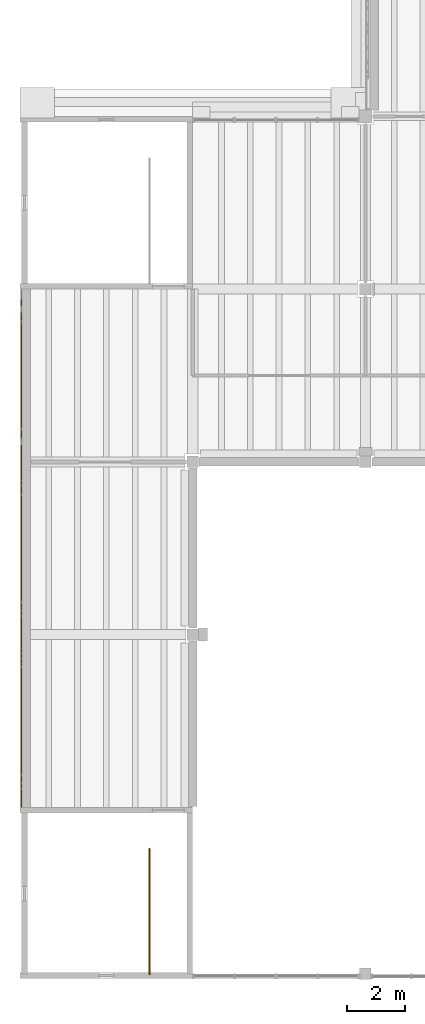
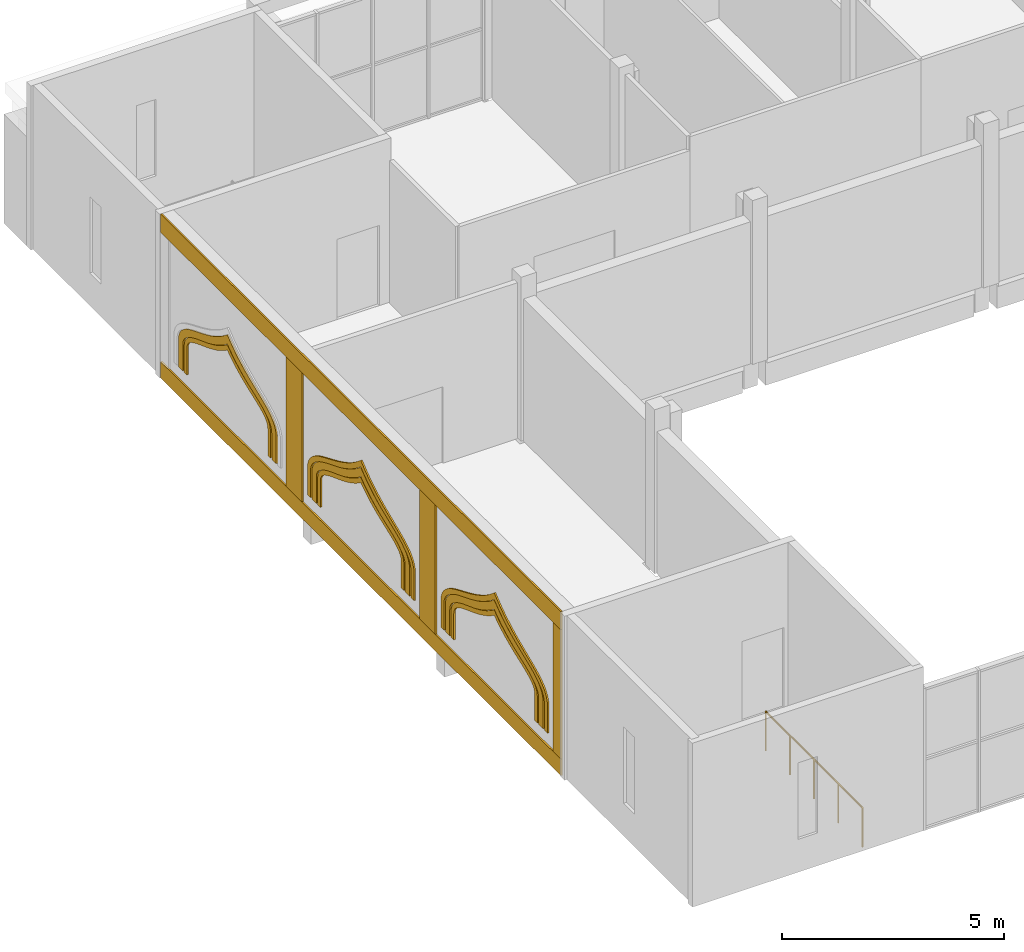
# One storey, part 53 of 70: 13 coverings, 1 railing.
"""IFC4 building model written with IfcOpenShell, lengths in metres."""

from ifc_helpers import new_model, si_unit, direction, frame, origin, origin_2d, place, context, subcontext, project, spatial, polyline, rectangle, circle, outline, extrude, material, layer, layer_set, type_object, element, save


model = new_model("IFC4")

# Units and contexts
model_context = context("Model", 3, precision=1e-05, world=origin(), true_north=direction((0.0, 1.0)))
body_context = subcontext(model_context, "Body", "Model", "MODEL_VIEW")
ifc_project = project(units=[si_unit("LENGTHUNIT", "METRE"), si_unit("AREAUNIT", "SQUARE_METRE"), si_unit("VOLUMEUNIT", "CUBIC_METRE"), si_unit("PLANEANGLEUNIT", "RADIAN"), si_unit("MASSUNIT", "GRAM", prefix="KILO")], contexts=[model_context])

# Site, building, storey
site_placement = place(None, origin())
site = spatial("IfcSite", under=ifc_project, at=site_placement, CompositionType="ELEMENT")
building_placement = place(site_placement, origin())
building = spatial("IfcBuilding", under=site, at=building_placement, Name="Saffron Lane Theatres", CompositionType="ELEMENT")
storey_placement = place(building_placement, frame((0.0, 0.0, 12.0)))
storey = spatial("IfcBuildingStorey", under=building, at=storey_placement, Name="L02", CompositionType="ELEMENT", Elevation=12.0)

# Coverings
ifc_material_1 = material(Name="Face brick cladding, pale buff", Category="masonry")
ifc_layer_1 = layer(ifc_material_1, 0.0400390625)
ifc_layer_set_1 = layer_set([ifc_layer_1], Name="Face brick cladding, pale buff")
covering_type_1 = type_object("IfcCoveringType", Name="EX-FACE BRICK SKIN PALE BUFF 40", PredefinedType="CLADDING", material=ifc_layer_set_1)
covering_1_placement = place(storey_placement, frame((0.0400390625, 15.0, 0.0), z_axis=(0.0, 0.0, 1.0), x_axis=(0.0, 1.0, 0.0)))
element("IfcCovering", 1, at=covering_1_placement, inside=storey, type_object=covering_type_1, Name="Face brick cladding, pale buff L02", PredefinedType="CLADDING", context=body_context, shape_type="SweptSolid", body=[
    extrude(rectangle(XDim=18.0, YDim=0.0400390625, at=origin_2d()), origin(), (0.0, 0.0, 1.0), 0.449951171875),
])
covering_2_placement = place(storey_placement, frame((0.0400390625, 15.0, 4.0), z_axis=(0.0, 0.0, 1.0), x_axis=(0.0, 1.0, 0.0)))
element("IfcCovering", 2, at=covering_2_placement, inside=storey, type_object=covering_type_1, Name="Face brick cladding, pale buff L02", PredefinedType="CLADDING", context=body_context, shape_type="SweptSolid", body=[
    extrude(rectangle(XDim=18.0, YDim=0.0400390625, at=origin_2d()), origin(), (0.0, 0.0, 1.0), 0.5),
])
covering_3_placement = place(storey_placement, frame((0.0400390625, 6.175048828125, 0.4501953125), z_axis=(0.0, 0.0, 1.0), x_axis=(0.0, 1.0, 0.0)))
element("IfcCovering", 3, at=covering_3_placement, inside=storey, type_object=covering_type_1, Name="Face brick cladding, pale buff L02", PredefinedType="CLADDING", context=body_context, shape_type="SweptSolid", body=[
    extrude(rectangle(XDim=0.35009765625, YDim=0.0400390625, at=origin_2d()), origin(), (0.0, 0.0, 1.0), 3.550048828125),
])
for number, where, z_axis, x_axis, name in (
    (4, (0.0400390625, 12.0, 0.4501953125), (0.0, 0.0, 1.0), (0.0, 1.0, 0.0), "Face brick cladding, pale buff L02"),
    (5, (0.0400390625, 18.0, 0.4501953125), (0.0, 0.0, 1.0), (0.0, 1.0, 0.0), "Face brick cladding, pale buff L02"),
):
    element("IfcCovering", number, at=place(storey_placement, frame(where, z_axis=z_axis, x_axis=x_axis)), inside=storey, type_object=covering_type_1, Name=name, PredefinedType="CLADDING", context=body_context, shape_type="SweptSolid", body=[
        extrude(rectangle(XDim=0.699951171875, YDim=0.0400390625, at=origin_2d()), origin(), (0.0, 0.0, 1.0), 3.550048828125),
    ])
ifc_material_2 = material(Name="Face brick cladding, pale buff", Category="masonry")
ifc_layer_2 = layer(ifc_material_2, 0.0400390625)
ifc_layer_set_2 = layer_set([ifc_layer_2], Name="Face brick cladding, pale buff")
covering_type_2 = type_object("IfcCoveringType", Name="EX-NICHE FRAME RING FACE BRICK PALE BUFF", PredefinedType="CLADDING", material=ifc_layer_set_2)
covering_4_placement = place(storey_placement, frame((0.06005859375, 7.072998046875, 1.631103515625), z_axis=(1.0, 0.0, 0.0), x_axis=(0.0, -0.125787163421, -0.992057251129)))
element("IfcCovering", 6, at=covering_4_placement, inside=storey, type_object=covering_type_2, Name="Court wall niche ring", PredefinedType="CLADDING", context=body_context, shape_type="SweptSolid", body=[
    extrude(outline(polyline([(0.0, 0.0), (0.10286783462729944, 1.734723475976807e-18), (0.8260814459243233, 0.09169933348981404), (0.8110029553873177, 0.21062025885714114), (0.09578199284206938, 0.119934347338246), (0.01822942745973688, 0.1201910345498624), (-0.0490011830970099, 0.1399675384317568), (-0.11314517339127239, 0.17810036480576727), (-0.17596284985395488, 0.2368272699049921), (-0.23944976724082911, 0.31441865705522143), (-0.30266435282305393, 0.40927124518525315), (-0.36702562913166437, 0.5189902527022868), (-0.433014522545084, 0.6415459385176266), (-0.5033224824943695, 0.7748743752096529), (-0.5778846128899024, 0.9165228382484054), (-0.6589079602080865, 1.0644888197256537), (-0.7488110626459573, 1.2164969004991457), (-0.848166975852022, 1.3712439439121653), (-0.9581797540604541, 1.5246397580306263), (-1.081394251071297, 1.6773460511968898), (-1.1877044755952397, 1.7918360801596334), (-1.1133323980335899, 1.9292355876164828), (-1.03212884818084, 2.107860915432915), (-0.9638813390769447, 2.283859110478537), (-0.9062906949754169, 2.4585060762296007), (-0.8571701494278585, 2.6281415573457427), (-0.8156395492188175, 2.7916466757104144), (-0.7787890000441458, 2.9474216268286426), (-0.7439815188337165, 3.0940780979260873), (-0.7106678065432581, 3.229224783986177), (-0.6757264771479905, 3.351534791747961), (-0.6381852481623782, 3.4591626386629097), (-0.5960723214348845, 3.5501434797319464), (-0.5498993331006278, 3.622689775343702), (-0.49730221132350194, 3.675624704444467), (-0.437134844806493, 3.711554540347675), (-0.3621004794731105, 3.7311583742768346), (0.3531204830721378, 3.8218442857957298), (0.3380419925351322, 3.9407652111630567), (-0.38517161876189165, 3.8490658776732425), (-0.48478421917957276, 3.8233925210766304), (-0.5719037429163033, 3.7710022555851634), (-0.644026475657423, 3.6973805390597287), (-0.7014050486089473, 3.6084016264695515), (-0.7497636445328588, 3.50457020079729), (-0.7902860376353253, 3.387458833357453), (-0.8265200739586204, 3.2598169165182562), (-0.8605569141048288, 3.122609779612776), (-0.8952415562884799, 2.974984502606025), (-0.9319727430126031, 2.8202090671537974), (-0.9731452558699988, 2.6597024957871276), (-1.0207274164359736, 2.4934613119297864), (-1.076875281402231, 2.3249035694448104), (-1.1418924717594865, 2.1544829615301575), (-1.2201113809191528, 1.9833728326633069), (-1.334478570855118, 1.7732259676027589), (-1.171282867774878, 1.5982724837141216), (-1.0528341773454004, 1.4520986772832152), (-0.9473415276647776, 1.3032977380814992), (-0.85090246191532, 1.1540871423140657), (-0.7633361981330901, 1.0049820026922627), (-0.6834079723272197, 0.8598303096728492), (-0.6092108824357915, 0.7191199427867081), (-0.5387800834597278, 0.5848227001853759), (-0.47157670608344604, 0.46045224157820175), (-0.40463291306563853, 0.34589268109086707), (-0.3361646413711658, 0.24260070416356042), (-0.26342249863181144, 0.1541241568385554), (-0.18565264723513095, 0.08228128848391583), (-0.09743800198608668, 0.028989430890248115), (0.0, 0.0)])), origin(), (0.0, 0.0, -1.0), 0.0400390625),
])
covering_5_placement = place(storey_placement, frame((0.06005859375, 6.81591796875, 1.656982421875), z_axis=(1.0, 0.0, 0.0), x_axis=(0.0, -0.124981281942, -0.992159099724)))
element("IfcCovering", 7, at=covering_5_placement, inside=storey, type_object=covering_type_2, Name="Court wall niche ring", PredefinedType="CLADDING", context=body_context, shape_type="SweptSolid", body=[
    extrude(outline(polyline([(0.0, 0.0), (0.12697213837489085, 0.0), (0.8521978084364566, 0.09135594681008097), (0.8272076546497311, 0.28973932148624076), (0.11385107538075605, 0.1998785120822032), (0.02527650663372288, 0.19979401452079415), (-0.04678254430501541, 0.2190148625868687), (-0.11719530108896745, 0.25837476555299604), (-0.18844693088535264, 0.32002136977165624), (-0.26038486865273797, 0.4027435435293195), (-0.33300911439112346, 0.5065412868259859), (-0.4074965313585784, 0.6270831607776483), (-0.4850868865533322, 0.7624905029356456), (-0.5673231993328934, 0.9113385905284419), (-0.6548063412450598, 1.0686303316604857), (-0.7511697074304202, 1.2339080312074777), (-0.8563809071571014, 1.404961139076778), (-0.9738578667840988, 1.5776680519952122), (-1.1044169266408037, 1.7506955862161038), (-1.251931830486924, 1.9215872098569338), (-1.3593545191680385, 2.0301060196818823), (-1.2822007347072313, 2.1618757418212198), (-1.1816758636224753, 2.3640126859475283), (-1.0981068365271347, 2.5640137194937744), (-1.027131701528916, 2.7604597528591834), (-0.967628988215562, 2.9522617063633723), (-0.915265379979479, 3.1362743929983368), (-0.8695240334033817, 3.3103482886880102), (-0.8267715533466811, 3.4749410885566925), (-0.7851865479301156, 3.625360830791697), (-0.7429208677133103, 3.7606099747375006), (-0.6983075635820238, 3.8791760140448814), (-0.6491323299964423, 3.977154691945845), (-0.5953951669565656, 4.054546008440391), (-0.5369435094209609, 4.110138831814989), (-0.4719024503881406, 4.14663004257128), (-0.38607405238690146, 4.168514910976223), (0.3272825268820736, 4.258375720380261), (0.30229237309534807, 4.4567590950564195), (-0.42293329696621773, 4.365403148246339), (-0.5459387442638506, 4.333913723694568), (-0.6569230051583564, 4.271457351179071), (-0.7479592695277731, 4.18543038390852), (-0.821231329903628, 4.079494852308205), (-0.8819536246866524, 3.959883859824733), (-0.931610024941369, 3.8266565547510885), (-0.9768645716775708, 3.681926314984293), (-1.0197466146617653, 3.5261757154861715), (-1.0624990947184658, 3.3615829156174892), (-1.1081202669850034, 3.188508438306926), (-1.1590647856203113, 3.008857703564255), (-1.2165151470532187, 2.824204243755272), (-1.2846215898416005, 2.6362398878317443), (-1.3645971234225733, 2.4467803945021727), (-1.4586236626040767, 2.2575194704419133), (-1.6093321048405622, 1.998616595130111), (-1.3991232964452063, 1.7851781021653423), (-1.2610969993144254, 1.6251486400436457), (-1.1366334996515897, 1.461442125707965), (-1.0240390907813448, 1.2962404739662412), (-0.9225889713991599, 1.1316035475932678), (-0.828682137096319, 0.9701995918059838), (-0.7415632735600051, 0.8138462430364772), (-0.6593269607804438, 0.664998155443681), (-0.5791580216700238, 0.5247481641551519), (-0.49942377556996387, 0.39576263666424205), (-0.418277950763476, 0.27901235606536234), (-0.3297888184396453, 0.17819737668643526), (-0.23253353355052273, 0.09374300291988655), (-0.12300638615942627, 0.03298080651064107), (0.0, 0.0)])), origin(), (0.0, 0.0, -1.0), 0.0400390625),
])
covering_6_placement = place(storey_placement, frame((0.06005859375, 6.615966796875, 1.6669921875), z_axis=(1.0, 0.0, 0.0), x_axis=(0.0, -0.1142904069, -0.993447383051)))
element("IfcCovering", 8, at=covering_6_placement, inside=storey, type_object=covering_type_2, Name="Court wall niche ring", PredefinedType="CLADDING", context=body_context, shape_type="SweptSolid", body=[
    extrude(outline(polyline([(0.0, 0.0), (0.1388492792656847, 0.0), (0.8630763021636411, 0.08331815307675605), (0.847087922487492, 0.22229406872328283), (0.1308647481346235, 0.1398967123818024), (0.018059635735685132, 0.13994393272720115), (-0.07944823113339494, 0.16509735216938015), (-0.16960689515496066, 0.21395109224305844), (-0.25646442775728656, 0.2875139512363002), (-0.34330478932492203, 0.38442512464988704), (-0.42803955276364053, 0.5014843608933854), (-0.5132529587943554, 0.6376571051266956), (-0.6022203822842709, 0.789371782134203), (-0.6947465027137829, 0.9549306058608893), (-0.7943492358150984, 1.1307340981597673), (-0.9030912521304082, 1.3133501984720835), (-1.022371990986984, 1.5021264074795997), (-1.1551684805242837, 1.6930339711680689), (-1.3039812526691044, 1.8843107121023825), (-1.4706304370986343, 2.0725524726551585), (-1.6146932717722082, 2.2139967245384384), (-1.5065136068430107, 2.3844600250485852), (-1.3869645705693967, 2.605627244620307), (-1.2854751700314675, 2.8256998107305122), (-1.1994997993363636, 3.0417758185165145), (-1.1262030913808239, 3.252706955033389), (-1.061770930084231, 3.4552457483453045), (-1.0046922643938252, 3.649074534310487), (-0.9521789475517439, 3.831319310997622), (-0.8999875876101086, 3.9992734940636265), (-0.8479228640493154, 4.151239297453482), (-0.7919839257864885, 4.284482233892733), (-0.7294191145124824, 4.398581613031465), (-0.6613960605862484, 4.488733837915022), (-0.5848261241428409, 4.557997499097641), (-0.4955775249598693, 4.604636175696251), (-0.3857301232863616, 4.630298287041135), (0.33049305106650684, 4.712695643382615), (0.31450467139035776, 4.851671559029142), (-0.4097223515075986, 4.768353405952386), (-0.5449442496949248, 4.736823093502039), (-0.6644868468305303, 4.673674467048558), (-0.7650833535645557, 4.584689872523952), (-0.8479915481880772, 4.474393877569155), (-0.9177252664453477, 4.345707704460883), (-0.9785837061469898, 4.201823019272224), (-1.033719898538038, 4.042377083895339), (-1.0865186838318481, 3.871158257858812), (-1.1389203889484416, 3.6879433177116665), (-1.1964927218861978, 3.496269496600136), (-1.2589373359173706, 3.2956796157255868), (-1.3308796785117007, 3.090065060824744), (-1.4143716883146977, 2.8801727719066417), (-1.511819456562361, 2.6676919495089537), (-1.627195931406195, 2.4551145400411314), (-1.7934458892791718, 2.193432264117283), (-1.5721155448778907, 1.9763388725258717), (-1.4114805153486925, 1.7955149989593715), (-1.2683277455137127, 1.6107138844826954), (-1.1393539575743754, 1.4252645634464545), (-1.0224878954711447, 1.2403883256930075), (-0.9162356791859507, 1.060189048513373), (-0.8166415316019806, 0.8865963269308906), (-0.7240037994469805, 0.7200673397441939), (-0.6337034743892186, 0.5653112432171397), (-0.5438002295086733, 0.4225512608007041), (-0.4518579242586367, 0.2962454223763961), (-0.35472352739407403, 0.18675646605205173), (-0.24893492904552242, 0.09816895170466257), (-0.1307595755471445, 0.03435280127758979), (0.0, 0.0)])), origin(), (0.0, 0.0, -1.0), 0.0400390625),
])
covering_7_placement = place(storey_placement, frame((0.06005859375, 13.072998046875, 1.631103515625), z_axis=(1.0, 0.0, 0.0), x_axis=(0.0, -0.125787163421, -0.992057251129)))
element("IfcCovering", 9, at=covering_7_placement, inside=storey, type_object=covering_type_2, Name="Court wall niche ring", PredefinedType="CLADDING", context=body_context, shape_type="SweptSolid", body=[
    extrude(outline(polyline([(0.0, 0.0), (0.10286783462729944, 1.734723475976807e-18), (0.8260814459243233, 0.09169933348981404), (0.8110029553873177, 0.21062025885714114), (0.09578199284206938, 0.119934347338246), (0.01822942745973688, 0.1201910345498624), (-0.0490011830970099, 0.1399675384317568), (-0.11314517339127239, 0.17810036480576727), (-0.17596284985395488, 0.2368272699049921), (-0.23944976724082911, 0.31441865705522143), (-0.30266435282305393, 0.40927124518525315), (-0.36702562913166437, 0.5189902527022868), (-0.433014522545084, 0.6415459385176266), (-0.5033224824943695, 0.7748743752096529), (-0.5778846128899024, 0.9165228382484054), (-0.6589079602080865, 1.0644888197256537), (-0.7488110626459573, 1.2164969004991457), (-0.848166975852022, 1.3712439439121653), (-0.9581797540604541, 1.5246397580306263), (-1.081394251071297, 1.6773460511968898), (-1.1877044755952397, 1.7918360801596334), (-1.1133323980335899, 1.9292355876164828), (-1.03212884818084, 2.107860915432915), (-0.9638813390769447, 2.283859110478537), (-0.9062906949754169, 2.4585060762296007), (-0.8571701494278585, 2.6281415573457427), (-0.8156395492188175, 2.7916466757104144), (-0.7787890000441458, 2.9474216268286426), (-0.7439815188337165, 3.0940780979260873), (-0.7106678065432581, 3.229224783986177), (-0.6757264771479905, 3.351534791747961), (-0.6381852481623782, 3.4591626386629097), (-0.5960723214348845, 3.5501434797319464), (-0.5498993331006278, 3.622689775343702), (-0.49730221132350194, 3.675624704444467), (-0.437134844806493, 3.711554540347675), (-0.3621004794731105, 3.7311583742768346), (0.3531204830721378, 3.8218442857957298), (0.3380419925351322, 3.9407652111630567), (-0.38517161876189165, 3.8490658776732425), (-0.48478421917957276, 3.8233925210766304), (-0.5719037429163033, 3.7710022555851634), (-0.644026475657423, 3.6973805390597287), (-0.7014050486089473, 3.6084016264695515), (-0.7497636445328588, 3.50457020079729), (-0.7902860376353253, 3.387458833357453), (-0.8265200739586204, 3.2598169165182562), (-0.8605569141048288, 3.122609779612776), (-0.8952415562884799, 2.974984502606025), (-0.9319727430126031, 2.8202090671537974), (-0.9731452558699988, 2.6597024957871276), (-1.0207274164359736, 2.4934613119297864), (-1.076875281402231, 2.3249035694448104), (-1.1418924717594865, 2.1544829615301575), (-1.2201113809191528, 1.9833728326633069), (-1.334478570855118, 1.7732259676027589), (-1.171282867774878, 1.5982724837141216), (-1.0528341773454004, 1.4520986772832152), (-0.9473415276647776, 1.3032977380814992), (-0.85090246191532, 1.1540871423140657), (-0.7633361981330901, 1.0049820026922627), (-0.6834079723272197, 0.8598303096728492), (-0.6092108824357915, 0.7191199427867081), (-0.5387800834597278, 0.5848227001853759), (-0.47157670608344604, 0.46045224157820175), (-0.40463291306563853, 0.34589268109086707), (-0.3361646413711658, 0.24260070416356042), (-0.26342249863181144, 0.1541241568385554), (-0.18565264723513095, 0.08228128848391583), (-0.09743800198608668, 0.028989430890248115), (0.0, 0.0)])), origin(), (0.0, 0.0, -1.0), 0.0400390625),
])
covering_8_placement = place(storey_placement, frame((0.06005859375, 12.81591796875, 1.656982421875), z_axis=(1.0, 0.0, 0.0), x_axis=(0.0, -0.124981281942, -0.992159099724)))
element("IfcCovering", 10, at=covering_8_placement, inside=storey, type_object=covering_type_2, Name="Court wall niche ring", PredefinedType="CLADDING", context=body_context, shape_type="SweptSolid", body=[
    extrude(outline(polyline([(0.0, 0.0), (0.12697213837489085, 0.0), (0.8521978084364566, 0.09135594681008097), (0.8272076546497311, 0.28973932148624076), (0.11385107538075605, 0.1998785120822032), (0.02527650663372288, 0.19979401452079415), (-0.04678254430501541, 0.2190148625868687), (-0.11719530108896745, 0.25837476555299604), (-0.18844693088535264, 0.32002136977165624), (-0.26038486865273797, 0.4027435435293195), (-0.33300911439112346, 0.5065412868259859), (-0.4074965313585784, 0.6270831607776483), (-0.4850868865533322, 0.7624905029356456), (-0.5673231993328934, 0.9113385905284419), (-0.6548063412450598, 1.0686303316604857), (-0.7511697074304202, 1.2339080312074777), (-0.8563809071571014, 1.404961139076778), (-0.9738578667840988, 1.5776680519952122), (-1.1044169266408037, 1.7506955862161038), (-1.251931830486924, 1.9215872098569338), (-1.3593545191680385, 2.0301060196818823), (-1.2822007347072313, 2.1618757418212198), (-1.1816758636224753, 2.3640126859475283), (-1.0981068365271347, 2.5640137194937744), (-1.027131701528916, 2.7604597528591834), (-0.967628988215562, 2.9522617063633723), (-0.915265379979479, 3.1362743929983368), (-0.8695240334033817, 3.3103482886880102), (-0.8267715533466811, 3.4749410885566925), (-0.7851865479301156, 3.625360830791697), (-0.7429208677133103, 3.7606099747375006), (-0.6983075635820238, 3.8791760140448814), (-0.6491323299964423, 3.977154691945845), (-0.5953951669565656, 4.054546008440391), (-0.5369435094209609, 4.110138831814989), (-0.4719024503881406, 4.14663004257128), (-0.38607405238690146, 4.168514910976223), (0.3272825268820736, 4.258375720380261), (0.30229237309534807, 4.4567590950564195), (-0.42293329696621773, 4.365403148246339), (-0.5459387442638506, 4.333913723694568), (-0.6569230051583564, 4.271457351179071), (-0.7479592695277731, 4.18543038390852), (-0.821231329903628, 4.079494852308205), (-0.8819536246866524, 3.959883859824733), (-0.931610024941369, 3.8266565547510885), (-0.9768645716775708, 3.681926314984293), (-1.0197466146617653, 3.5261757154861715), (-1.0624990947184658, 3.3615829156174892), (-1.1081202669850034, 3.188508438306926), (-1.1590647856203113, 3.008857703564255), (-1.2165151470532187, 2.824204243755272), (-1.2846215898416005, 2.6362398878317443), (-1.3645971234225733, 2.4467803945021727), (-1.4586236626040767, 2.2575194704419133), (-1.6093321048405622, 1.998616595130111), (-1.3991232964452063, 1.7851781021653423), (-1.2610969993144254, 1.6251486400436457), (-1.1366334996515897, 1.461442125707965), (-1.0240390907813448, 1.2962404739662412), (-0.9225889713991599, 1.1316035475932678), (-0.828682137096319, 0.9701995918059838), (-0.7415632735600051, 0.8138462430364772), (-0.6593269607804438, 0.664998155443681), (-0.5791580216700238, 0.5247481641551519), (-0.49942377556996387, 0.39576263666424205), (-0.418277950763476, 0.27901235606536234), (-0.3297888184396453, 0.17819737668643526), (-0.23253353355052273, 0.09374300291988655), (-0.12300638615942627, 0.03298080651064107), (0.0, 0.0)])), origin(), (0.0, 0.0, -1.0), 0.0400390625),
])
covering_9_placement = place(storey_placement, frame((0.06005859375, 12.615966796875, 1.6669921875), z_axis=(1.0, 0.0, 0.0), x_axis=(0.0, -0.1142904069, -0.993447383051)))
element("IfcCovering", 11, at=covering_9_placement, inside=storey, type_object=covering_type_2, Name="Court wall niche ring", PredefinedType="CLADDING", context=body_context, shape_type="SweptSolid", body=[
    extrude(outline(polyline([(0.0, 0.0), (0.1388492792656847, 0.0), (0.8630763021636411, 0.08331815307675605), (0.847087922487492, 0.22229406872328283), (0.1308647481346235, 0.1398967123818024), (0.018059635735685132, 0.13994393272720115), (-0.07944823113339494, 0.16509735216938015), (-0.16960689515496066, 0.21395109224305844), (-0.25646442775728656, 0.2875139512363002), (-0.34330478932492203, 0.38442512464988704), (-0.42803955276364053, 0.5014843608933854), (-0.5132529587943554, 0.6376571051266956), (-0.6022203822842709, 0.789371782134203), (-0.6947465027137829, 0.9549306058608893), (-0.7943492358150984, 1.1307340981597673), (-0.9030912521304082, 1.3133501984720835), (-1.022371990986984, 1.5021264074795997), (-1.1551684805242837, 1.6930339711680689), (-1.3039812526691044, 1.8843107121023825), (-1.4706304370986343, 2.0725524726551585), (-1.6146932717722082, 2.2139967245384384), (-1.5065136068430107, 2.3844600250485852), (-1.3869645705693967, 2.605627244620307), (-1.2854751700314675, 2.8256998107305122), (-1.1994997993363636, 3.0417758185165145), (-1.1262030913808239, 3.252706955033389), (-1.061770930084231, 3.4552457483453045), (-1.0046922643938252, 3.649074534310487), (-0.9521789475517439, 3.831319310997622), (-0.8999875876101086, 3.9992734940636265), (-0.8479228640493154, 4.151239297453482), (-0.7919839257864885, 4.284482233892733), (-0.7294191145124824, 4.398581613031465), (-0.6613960605862484, 4.488733837915022), (-0.5848261241428409, 4.557997499097641), (-0.4955775249598693, 4.604636175696251), (-0.3857301232863616, 4.630298287041135), (0.33049305106650684, 4.712695643382615), (0.31450467139035776, 4.851671559029142), (-0.4097223515075986, 4.768353405952386), (-0.5449442496949248, 4.736823093502039), (-0.6644868468305303, 4.673674467048558), (-0.7650833535645557, 4.584689872523952), (-0.8479915481880772, 4.474393877569155), (-0.9177252664453477, 4.345707704460883), (-0.9785837061469898, 4.201823019272224), (-1.033719898538038, 4.042377083895339), (-1.0865186838318481, 3.871158257858812), (-1.1389203889484416, 3.6879433177116665), (-1.1964927218861978, 3.496269496600136), (-1.2590489476428586, 3.2966497791855978), (-1.3308796785117007, 3.090065060824744), (-1.4143716883146977, 2.8801727719066417), (-1.511819456562361, 2.6676919495089537), (-1.627195931406195, 2.4551145400411314), (-1.7934458892791718, 2.193432264117283), (-1.5721155448778907, 1.9763388725258717), (-1.4114805153486925, 1.7955149989593715), (-1.2683277455137127, 1.6107138844826954), (-1.1393539575743754, 1.4252645634464545), (-1.0225995071966325, 1.241358489153018), (-0.9162356791859507, 1.060189048513373), (-0.8166415316019806, 0.8865963269308906), (-0.7240037994469805, 0.7200673397441939), (-0.6337034743892186, 0.5653112432171397), (-0.5438002295086733, 0.4225512608007041), (-0.4518579242586367, 0.2962454223763961), (-0.35472352739407403, 0.18675646605205173), (-0.24893492904552242, 0.09816895170466257), (-0.1307595755471445, 0.03435280127758979), (0.0, 0.0)])), origin(), (0.0, 0.0, -1.0), 0.0400390625),
])
covering_10_placement = place(storey_placement, frame((0.06005859375, 19.072998046875, 1.631103515625), z_axis=(1.0, 0.0, 0.0), x_axis=(0.0, -0.125787163421, -0.992057251129)))
element("IfcCovering", 12, at=covering_10_placement, inside=storey, type_object=covering_type_2, Name="Court wall niche ring", PredefinedType="CLADDING", context=body_context, shape_type="SweptSolid", body=[
    extrude(outline(polyline([(0.0, 0.0), (0.10286783462729944, 1.734723475976807e-18), (0.8260814459243233, 0.09169933348981404), (0.8110029553873177, 0.21062025885714114), (0.09578199284206938, 0.119934347338246), (0.01822942745973688, 0.1201910345498624), (-0.0490011830970099, 0.1399675384317568), (-0.11314517339127239, 0.17810036480576727), (-0.17596284985395488, 0.2368272699049921), (-0.23944976724082911, 0.31441865705522143), (-0.30266435282305393, 0.40927124518525315), (-0.36702562913166437, 0.5189902527022868), (-0.433014522545084, 0.6415459385176266), (-0.5033224824943695, 0.7748743752096529), (-0.5778846128899024, 0.9165228382484054), (-0.6589079602080865, 1.0644888197256537), (-0.7488110626459573, 1.2164969004991457), (-0.848166975852022, 1.3712439439121653), (-0.9581797540604541, 1.5246397580306263), (-1.081394251071297, 1.6773460511968898), (-1.1877044755952397, 1.7918360801596334), (-1.1133323980335899, 1.9292355876164828), (-1.03212884818084, 2.107860915432915), (-0.9638813390769447, 2.283859110478537), (-0.9062906949754169, 2.4585060762296007), (-0.8571701494278585, 2.6281415573457427), (-0.8156395492188175, 2.7916466757104144), (-0.7787890000441458, 2.9474216268286426), (-0.7439815188337165, 3.0940780979260873), (-0.7106678065432581, 3.229224783986177), (-0.6757264771479905, 3.351534791747961), (-0.6381852481623782, 3.4591626386629097), (-0.5960723214348845, 3.5501434797319464), (-0.5498993331006278, 3.622689775343702), (-0.49730221132350194, 3.675624704444467), (-0.437134844806493, 3.711554540347675), (-0.3621004794731105, 3.7311583742768346), (0.3531204830721378, 3.8218442857957298), (0.3380419925351322, 3.9407652111630567), (-0.38517161876189165, 3.8490658776732425), (-0.48478421917957276, 3.8233925210766304), (-0.5719037429163033, 3.7710022555851634), (-0.644026475657423, 3.6973805390597287), (-0.7014050486089473, 3.6084016264695515), (-0.7497636445328588, 3.50457020079729), (-0.7902860376353253, 3.387458833357453), (-0.8265200739586204, 3.2598169165182562), (-0.8605569141048288, 3.122609779612776), (-0.8952415562884799, 2.974984502606025), (-0.9319727430126031, 2.8202090671537974), (-0.9731452558699988, 2.6597024957871276), (-1.0207274164359736, 2.4934613119297864), (-1.076875281402231, 2.3249035694448104), (-1.1418924717594865, 2.1544829615301575), (-1.2201113809191528, 1.9833728326633069), (-1.334478570855118, 1.7732259676027589), (-1.171282867774878, 1.5982724837141216), (-1.0528341773454004, 1.4520986772832152), (-0.9473415276647776, 1.3032977380814992), (-0.85090246191532, 1.1540871423140657), (-0.7633361981330901, 1.0049820026922627), (-0.6834079723272197, 0.8598303096728492), (-0.6092108824357915, 0.7191199427867081), (-0.5387800834597278, 0.5848227001853759), (-0.47157670608344604, 0.46045224157820175), (-0.40463291306563853, 0.34589268109086707), (-0.3361646413711658, 0.24260070416356042), (-0.26342249863181144, 0.1541241568385554), (-0.18565264723513095, 0.08228128848391583), (-0.09743800198608668, 0.028989430890248115), (0.0, 0.0)])), origin(), (0.0, 0.0, -1.0), 0.0400390625),
])
covering_11_placement = place(storey_placement, frame((0.06005859375, 18.81591796875, 1.656982421875), z_axis=(1.0, 0.0, 0.0), x_axis=(0.0, -0.124981281942, -0.992159099724)))
element("IfcCovering", 13, at=covering_11_placement, inside=storey, type_object=covering_type_2, Name="Court wall niche ring", PredefinedType="CLADDING", context=body_context, shape_type="SweptSolid", body=[
    extrude(outline(polyline([(0.0, 0.0), (0.12697213837489085, 0.0), (0.8521978084364566, 0.09135594681008097), (0.8272076546497311, 0.28973932148624076), (0.11385107538075605, 0.1998785120822032), (0.02527650663372288, 0.19979401452079415), (-0.04678254430501541, 0.2190148625868687), (-0.11719530108896745, 0.25837476555299604), (-0.18844693088535264, 0.32002136977165624), (-0.26038486865273797, 0.4027435435293195), (-0.33300911439112346, 0.5065412868259859), (-0.4074965313585784, 0.6270831607776483), (-0.4850868865533322, 0.7624905029356456), (-0.5673231993328934, 0.9113385905284419), (-0.6548063412450598, 1.0686303316604857), (-0.7511697074304202, 1.2339080312074777), (-0.8563809071571014, 1.404961139076778), (-0.9738578667840988, 1.5776680519952122), (-1.1044169266408037, 1.7506955862161038), (-1.251931830486924, 1.9215872098569338), (-1.3593545191680385, 2.0301060196818823), (-1.2822007347072313, 2.1618757418212198), (-1.1816758636224753, 2.3640126859475283), (-1.0981068365271347, 2.5640137194937744), (-1.027131701528916, 2.7604597528591834), (-0.967628988215562, 2.9522617063633723), (-0.915265379979479, 3.1362743929983368), (-0.8695240334033817, 3.3103482886880102), (-0.8267715533466811, 3.4749410885566925), (-0.7851865479301156, 3.625360830791697), (-0.7429208677133103, 3.7606099747375006), (-0.6983075635820238, 3.8791760140448814), (-0.6491323299964423, 3.977154691945845), (-0.5953951669565656, 4.054546008440391), (-0.5369435094209609, 4.110138831814989), (-0.4719024503881406, 4.14663004257128), (-0.38607405238690146, 4.168514910976223), (0.3272825268820736, 4.258375720380261), (0.30229237309534807, 4.4567590950564195), (-0.42293329696621773, 4.365403148246339), (-0.5459387442638506, 4.333913723694568), (-0.6569230051583564, 4.271457351179071), (-0.7479592695277731, 4.18543038390852), (-0.821231329903628, 4.079494852308205), (-0.8819536246866524, 3.959883859824733), (-0.931610024941369, 3.8266565547510885), (-0.9768645716775708, 3.681926314984293), (-1.0197466146617653, 3.5261757154861715), (-1.0624990947184658, 3.3615829156174892), (-1.1081202669850034, 3.188508438306926), (-1.1590647856203113, 3.008857703564255), (-1.2165151470532187, 2.824204243755272), (-1.2846215898416005, 2.6362398878317443), (-1.3645971234225733, 2.4467803945021727), (-1.4586236626040767, 2.2575194704419133), (-1.6093321048405622, 1.998616595130111), (-1.3991232964452063, 1.7851781021653423), (-1.2610969993144254, 1.6251486400436457), (-1.1366334996515897, 1.461442125707965), (-1.0240390907813448, 1.2962404739662412), (-0.9225889713991599, 1.1316035475932678), (-0.828682137096319, 0.9701995918059838), (-0.7415632735600051, 0.8138462430364772), (-0.6593269607804438, 0.664998155443681), (-0.5791580216700238, 0.5247481641551519), (-0.49942377556996387, 0.39576263666424205), (-0.418277950763476, 0.27901235606536234), (-0.3297888184396453, 0.17819737668643526), (-0.23253353355052273, 0.09374300291988655), (-0.12300638615942627, 0.03298080651064107), (0.0, 0.0)])), origin(), (0.0, 0.0, -1.0), 0.0400390625),
])

# Railing
ifc_material_3 = material(Name="Steel Grade 350", Category="steel")
railing_type = type_object("IfcRailingType", Name="VC-GUARD 1100", PredefinedType="GUARDRAIL", material=ifc_material_3)
railing_placement = place(storey_placement, frame((4.5, 0.199951171875, 0.0)))
element("IfcRailing", 14, at=railing_placement, inside=storey, type_object=railing_type, Name="Workshop South West Stair guard L02", PredefinedType="GUARDRAIL", context=body_context, shape_type="SweptSolid", body=[
    extrude(circle(Radius=0.02392578125, at=origin_2d()), frame((0.0, 0.0, 1.076171875), z_axis=(0.0, 1.0, 0.0), x_axis=(-1.0, 0.0, 0.0)), (0.0, 0.0, 1.0), 4.35009765625),
    extrude(circle(Radius=0.02099609375, at=origin_2d()), origin(), (0.0, 0.0, 1.0), 1.052001953125),
    extrude(circle(Radius=0.02099609375, at=origin_2d()), frame((0.0, 1.08740234375, 0.0)), (0.0, 0.0, 1.0), 1.052001953125),
    extrude(circle(Radius=0.02099609375, at=origin_2d()), frame((0.0, 2.175048828125, 0.0)), (0.0, 0.0, 1.0), 1.052001953125),
    extrude(circle(Radius=0.02099609375, at=origin_2d()), frame((0.0, 3.2626953125, 0.0)), (0.0, 0.0, 1.0), 1.052001953125),
    extrude(circle(Radius=0.02099609375, at=origin_2d()), frame((0.0, 4.35009765625, 0.0)), (0.0, 0.0, 1.0), 1.052001953125),
])

save(model, "model.ifc")
